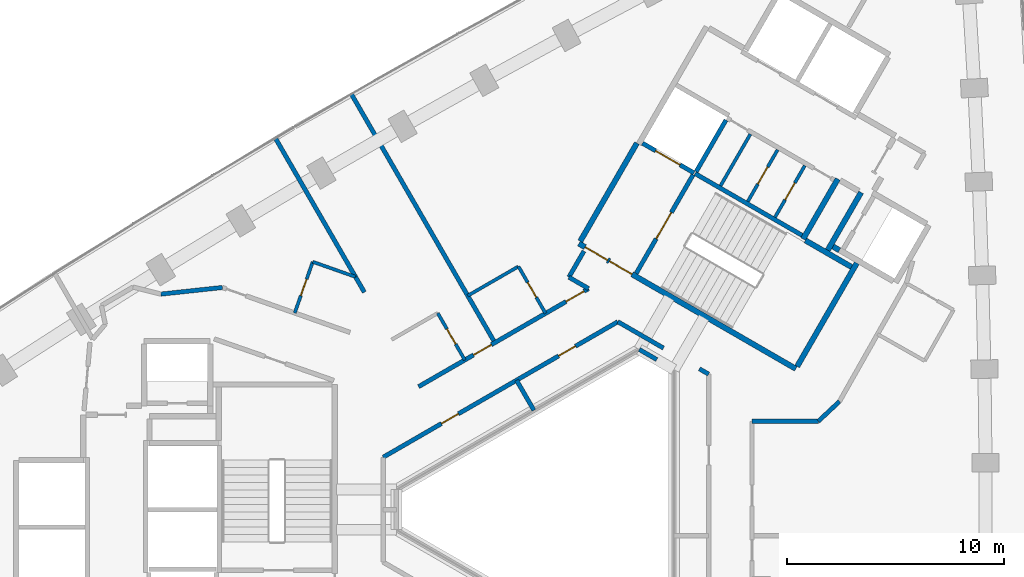
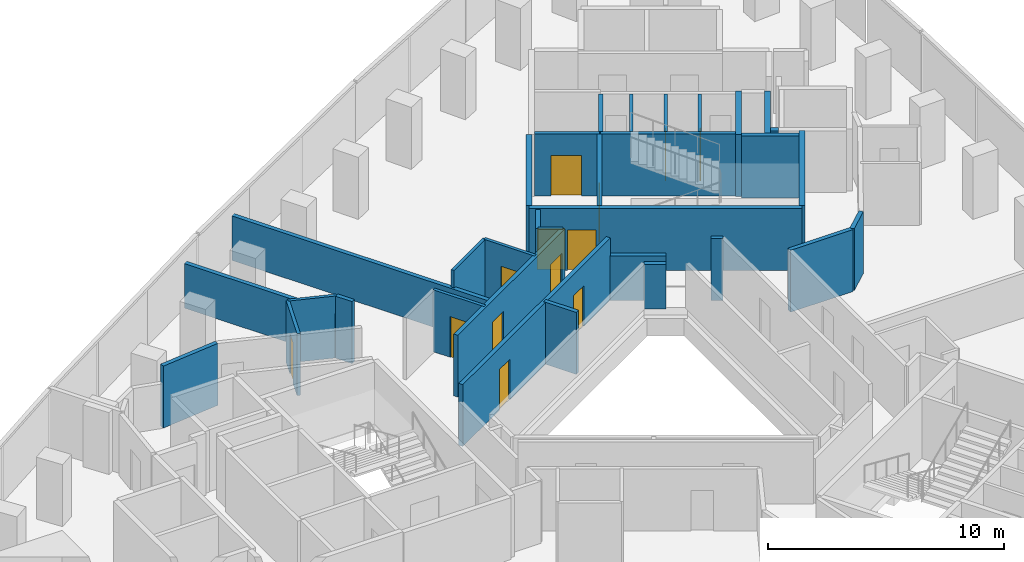
# One storey, part 10 of 12: 33 walls, 13 doors, 13 openings.
"""IFC4 building model written with IfcOpenShell, lengths in metres."""

from ifc_helpers import new_model, si_unit, direction, frame, frame_2d, origin, place, context, subcontext, project, spatial, rectangle, extrude, material, layer, layer_set, type_object, element, fill, save


model = new_model("IFC4")

# Units and contexts
model_context = context("Model", 3, precision=1e-05, world=origin(), true_north=direction((0.0, 1.0)))
body_context = subcontext(model_context, "Body", "Model", "MODEL_VIEW")
ifc_project = project(units=[si_unit("LENGTHUNIT", "METRE"), si_unit("AREAUNIT", "SQUARE_METRE"), si_unit("VOLUMEUNIT", "CUBIC_METRE"), si_unit("PLANEANGLEUNIT", "RADIAN"), si_unit("MASSUNIT", "GRAM", prefix="KILO")], contexts=[model_context])

# Site, building, storey
site_placement = place(None, origin())
site = spatial("IfcSite", under=ifc_project, at=site_placement, CompositionType="ELEMENT")
building_placement = place(site_placement, origin())
building = spatial("IfcBuilding", under=site, at=building_placement, Name="Tamra Quay Hotel Tower", CompositionType="ELEMENT")
storey_placement = place(building_placement, frame((0.0, 0.0, 154.0)))
storey = spatial("IfcBuildingStorey", under=building, at=storey_placement, Name="L38", CompositionType="ELEMENT", Elevation=154.0)

# Wall
ifc_material_1 = material(Name="Concrete M70", Category="concrete")
ifc_layer_1 = layer(ifc_material_1, 0.199951171875)
ifc_layer_set_1 = layer_set([ifc_layer_1], Name="Concrete M70 core wall 200")
wall_type_1 = type_object("IfcWallType", Name="Concrete M70 core wall 200", PredefinedType="SHEAR", material=ifc_layer_set_1)
wall_1_placement = place(storey_placement, frame((5.774658203125, 15.501953125, 0.0), z_axis=(0.0, 0.0, 1.0), x_axis=(0.866020080793, -0.500009219579, 0.0)))
element("IfcWall", 1, at=wall_1_placement, inside=storey, type_object=wall_type_1, Name="CW2", PredefinedType="SHEAR", context=body_context, shape_type="SweptSolid", body=[
    extrude(rectangle(XDim=5.69921875, YDim=0.199951171875, at=frame_2d((2.849609375, 0.0))), origin(), (0.0, 0.0, 1.0), 3.199951171875),
])

# Wall, opening, door
wall_2_placement = place(storey_placement, frame((3.056640625, 10.89453125, 0.0), z_axis=(0.0, 0.0, 1.0), x_axis=(0.499989418164, 0.866031513124, 0.0)))
wall_2 = element("IfcWall", 2, at=wall_2_placement, inside=storey, type_object=wall_type_1, Name="CW2", PredefinedType="SHEAR", context=body_context, shape_type="SweptSolid", body=[
    extrude(rectangle(XDim=5.2509765625, YDim=0.199951171875, at=frame_2d((2.62548828125, 0.0))), origin(), (0.0, 0.0, 1.0), 3.199951171875),
])
opening_1_placement = place(wall_2_placement, frame((1.84912109375, 0.0, 0.0)))
opening_1 = element("IfcOpeningElement", 3, at=opening_1_placement, cuts=wall_2, Name="Opening FD2", PredefinedType="OPENING", context=body_context, shape_type="SweptSolid", body=[
    extrude(rectangle(XDim=1.39990234375, YDim=2.10009765625, at=frame_2d((0.699951171875, 1.050048828125))), frame((0.0, 0.10986328125, 0.0), z_axis=(0.0, -1.0, 0.0), x_axis=(1.0, 0.0, 0.0)), (0.0, 0.0, 1.0), 0.219970703125),
])
ifc_material_2 = material(Name="Core door FD2 1400x2100 RH")
door_type_1 = type_object("IfcDoorType", Name="Core door FD2 1400x2100 RH", OperationType="NOTDEFINED", PredefinedType="DOOR", material=ifc_material_2)
door_1_placement = place(opening_1_placement, origin())
door_1 = element("IfcDoor", 4, at=door_1_placement, inside=storey, type_object=door_type_1, Name="FD2", OperationType="SINGLE_SWING_RIGHT", OverallHeight=2.10009765625, OverallWidth=1.39990234375, PredefinedType="DOOR", context=body_context, shape_type="SweptSolid", body=[
    extrude(rectangle(XDim=1.39990234375, YDim=2.10009765625, at=frame_2d((0.699951171875, 1.050048828125))), frame((0.0, 0.02490234375, 0.0), z_axis=(0.0, -1.0, 0.0), x_axis=(1.0, 0.0, 0.0)), (0.0, 0.0, 1.0), 0.050048828125),
])
fill(opening_1, door_1)

# Wall
wall_3_placement = place(storey_placement, frame((7.199462890625, 17.969970703125, 0.0), z_axis=(0.0, 0.0, 1.0), x_axis=(-0.499968400327, -0.866043647095, 0.0)))
element("IfcWall", 5, at=wall_3_placement, inside=storey, type_object=wall_type_1, Name="CW2", PredefinedType="SHEAR", context=body_context, shape_type="SweptSolid", body=[
    extrude(rectangle(XDim=2.749755859375, YDim=0.199951171875, at=frame_2d((1.375, 0.0))), origin(), (0.0, 0.0, 1.0), 3.199951171875),
])

# Wall, opening, door
wall_4_placement = place(storey_placement, frame((5.72509765625, 15.530517578125, 0.0), z_axis=(0.0, 0.0, 1.0), x_axis=(-0.866037306777, 0.499979382845, 0.0)))
wall_4 = element("IfcWall", 6, at=wall_4_placement, inside=storey, type_object=wall_type_1, Name="CW2", PredefinedType="SHEAR", context=body_context, shape_type="SweptSolid", body=[
    extrude(rectangle(XDim=2.74169921875, YDim=0.199951171875, at=frame_2d((1.370849609375, 0.0))), origin(), (0.0, 0.0, 1.0), 3.199951171875),
])
opening_2_placement = place(wall_4_placement, frame((0.742919921875, 0.0, 0.0)))
opening_2 = element("IfcOpeningElement", 7, at=opening_2_placement, cuts=wall_4, Name="Opening LD", PredefinedType="OPENING", context=body_context, shape_type="SweptSolid", body=[
    extrude(rectangle(XDim=1.300048828125, YDim=2.10009765625, at=frame_2d((0.64990234375, 1.050048828125))), frame((0.0, 0.10986328125, 0.0), z_axis=(0.0, -1.0, 0.0), x_axis=(1.0, 0.0, 0.0)), (0.0, 0.0, 1.0), 0.219970703125),
])
ifc_material_3 = material(Name="Landing door LD 1300 sliding to right")
door_type_2 = type_object("IfcDoorType", Name="Landing door LD 1300 sliding to right", OperationType="NOTDEFINED", PredefinedType="DOOR", material=ifc_material_3)
door_2_placement = place(opening_2_placement, origin())
door_2 = element("IfcDoor", 8, at=door_2_placement, inside=storey, type_object=door_type_2, Name="LD", OperationType="SLIDING_TO_RIGHT", OverallHeight=2.10009765625, OverallWidth=1.300048828125, PredefinedType="DOOR", context=body_context, shape_type="SweptSolid", body=[
    extrude(rectangle(XDim=1.300048828125, YDim=2.10009765625, at=frame_2d((0.64990234375, 1.050048828125))), frame((0.0, 0.02490234375, 0.0), z_axis=(0.0, -1.0, 0.0), x_axis=(1.0, 0.0, 0.0)), (0.0, 0.0, 1.0), 0.050048828125),
])
fill(opening_2, door_2)

# Wall, openings, doors
ifc_layer_2 = layer(ifc_material_1, 0.25)
ifc_layer_set_2 = layer_set([ifc_layer_2], Name="Concrete M70 core wall 250")
wall_type_2 = type_object("IfcWallType", Name="Concrete M70 core wall 250", PredefinedType="SHEAR", material=ifc_layer_set_2)
wall_5_placement = place(storey_placement, frame((10.419921875, 6.497802734375, 0.0), z_axis=(0.0, 0.0, 1.0), x_axis=(-0.866021906294, 0.500006057782, 0.0)))
wall_5 = element("IfcWall", 9, at=wall_5_placement, inside=storey, type_object=wall_type_2, Name="CW1", PredefinedType="SHEAR", context=body_context, shape_type="SweptSolid", body=[
    extrude(rectangle(XDim=11.550048828125, YDim=0.25, at=frame_2d((5.77490234375, 0.0))), origin(), (0.0, 0.0, 1.0), 3.199951171875),
])
opening_3_placement = place(wall_5_placement, frame((10.02490234375, 0.0, 0.0)))
opening_3 = element("IfcOpeningElement", 10, at=opening_3_placement, cuts=wall_5, Name="Opening FD1", PredefinedType="OPENING", context=body_context, shape_type="SweptSolid", body=[
    extrude(rectangle(XDim=1.199951171875, YDim=2.10009765625, at=frame_2d((0.60009765625, 1.050048828125))), frame((0.0, 0.135009765625, 0.0), z_axis=(0.0, -1.0, 0.0), x_axis=(1.0, 0.0, 0.0)), (0.0, 0.0, 1.0), 0.27001953125),
])
opening_4_placement = place(wall_5_placement, frame((8.724853515625, 0.0, 0.0)))
opening_4 = element("IfcOpeningElement", 11, at=opening_4_placement, cuts=wall_5, Name="Opening FD1", PredefinedType="OPENING", context=body_context, shape_type="SweptSolid", body=[
    extrude(rectangle(XDim=1.199951171875, YDim=2.10009765625, at=frame_2d((0.60009765625, 1.050048828125))), frame((0.0, 0.135009765625, 0.0), z_axis=(0.0, -1.0, 0.0), x_axis=(1.0, 0.0, 0.0)), (0.0, 0.0, 1.0), 0.27001953125),
])
ifc_material_4 = material(Name="Core door FD1 1200x2100 LH")
door_type_3 = type_object("IfcDoorType", Name="Core door FD1 1200x2100 LH", OperationType="NOTDEFINED", PredefinedType="DOOR", material=ifc_material_4)
door_3_placement = place(opening_3_placement, origin())
door_3 = element("IfcDoor", 12, at=door_3_placement, inside=storey, type_object=door_type_3, Name="FD1", OperationType="SINGLE_SWING_LEFT", OverallHeight=2.10009765625, OverallWidth=1.199951171875, PredefinedType="DOOR", context=body_context, shape_type="SweptSolid", body=[
    extrude(rectangle(XDim=1.199951171875, YDim=2.10009765625, at=frame_2d((0.60009765625, 1.050048828125))), frame((0.0, 0.02490234375, 0.0), z_axis=(0.0, -1.0, 0.0), x_axis=(1.0, 0.0, 0.0)), (0.0, 0.0, 1.0), 0.050048828125),
])
fill(opening_3, door_3)
ifc_material_5 = material(Name="Core door FD1 1200x2100 RH")
door_type_4 = type_object("IfcDoorType", Name="Core door FD1 1200x2100 RH", OperationType="NOTDEFINED", PredefinedType="DOOR", material=ifc_material_5)
door_4_placement = place(opening_4_placement, origin())
door_4 = element("IfcDoor", 13, at=door_4_placement, inside=storey, type_object=door_type_4, Name="FD1", OperationType="SINGLE_SWING_RIGHT", OverallHeight=2.10009765625, OverallWidth=1.199951171875, PredefinedType="DOOR", context=body_context, shape_type="SweptSolid", body=[
    extrude(rectangle(XDim=1.199951171875, YDim=2.10009765625, at=frame_2d((0.60009765625, 1.050048828125))), frame((0.0, 0.02490234375, 0.0), z_axis=(0.0, -1.0, 0.0), x_axis=(1.0, 0.0, 0.0)), (0.0, 0.0, 1.0), 0.050048828125),
])
fill(opening_4, door_4)

# Walls
wall_6_placement = place(storey_placement, frame((0.47998046875, 12.38134765625, 0.0), z_axis=(0.0, 0.0, 1.0), x_axis=(0.49999885962, 0.866026062182, 0.0)))
element("IfcWall", 14, at=wall_6_placement, inside=storey, type_object=wall_type_2, Name="CW1", PredefinedType="SHEAR", context=body_context, shape_type="SweptSolid", body=[
    extrude(rectangle(XDim=5.224609375, YDim=0.25, at=frame_2d((2.6123046875, 0.0))), origin(), (0.0, 0.0, 1.0), 3.199951171875),
])
wall_7_placement = place(storey_placement, frame((13.237548828125, 11.3779296875, 0.0), z_axis=(0.0, 0.0, 1.0), x_axis=(-0.500008851346, -0.866020293397, 0.0)))
element("IfcWall", 15, at=wall_7_placement, inside=storey, type_object=wall_type_2, Name="CW1", PredefinedType="SHEAR", context=body_context, shape_type="SweptSolid", body=[
    extrude(rectangle(XDim=5.509765625, YDim=0.25, at=frame_2d((2.7548828125, 0.0))), origin(), (0.0, 0.0, 1.0), 3.199951171875),
])
wall_8_placement = place(storey_placement, frame((12.356689453125, 15.25244140625, 0.0), z_axis=(0.0, 0.0, 1.0), x_axis=(-0.500028443584, -0.866008981251, 0.0)))
element("IfcWall", 16, at=wall_8_placement, inside=storey, type_object=wall_type_2, Name="CW1", PredefinedType="SHEAR", context=body_context, shape_type="SweptSolid", body=[
    extrude(rectangle(XDim=3.199951171875, YDim=0.25, at=frame_2d((1.60009765625, 0.0))), origin(), (0.0, 0.0, 1.0), 3.199951171875),
])
wall_9_placement = place(storey_placement, frame((11.887939453125, 11.960693359375, 0.0), z_axis=(0.0, 0.0, 1.0), x_axis=(0.500003324108, 0.866023484601, 0.0)))
element("IfcWall", 17, at=wall_9_placement, inside=storey, type_object=wall_type_2, Name="CW1", PredefinedType="SHEAR", context=body_context, shape_type="SweptSolid", body=[
    extrude(rectangle(XDim=3.0849609375, YDim=0.25, at=frame_2d((1.54248046875, 0.0))), origin(), (0.0, 0.0, 1.0), 3.199951171875),
])
wall_10_placement = place(storey_placement, frame((10.865234375, 12.41845703125, 0.0), z_axis=(0.0, 0.0, 1.0), x_axis=(0.866026229868, -0.499998569178, 0.0)))
element("IfcWall", 18, at=wall_10_placement, inside=storey, type_object=wall_type_2, Name="CW1", PredefinedType="SHEAR", context=body_context, shape_type="SweptSolid", body=[
    extrude(rectangle(XDim=2.44921875, YDim=0.25, at=frame_2d((1.224609375, 0.0))), origin(), (0.0, 0.0, 1.0), 3.199951171875),
])
wall_11_placement = place(storey_placement, frame((12.4326171875, 11.9638671875, 0.0), z_axis=(0.0, 0.0, 1.0), x_axis=(-0.866055875208, 0.499947218231, 0.0)))
element("IfcWall", 19, at=wall_11_placement, inside=storey, type_object=wall_type_2, Name="CW1", PredefinedType="SHEAR", context=body_context, shape_type="SweptSolid", body=[
    extrude(rectangle(XDim=0.3447265625, YDim=0.25, at=frame_2d((0.17236328125, 0.0))), origin(), (0.0, 0.0, 1.0), 3.199951171875),
])

# Wall, opening, door
ifc_material_6 = material(Name="Blockwork", Category="masonry")
ifc_layer_3 = layer(ifc_material_6, 0.14990234375)
ifc_layer_set_3 = layer_set([ifc_layer_3], Name="Core partition block 150")
wall_type_3 = type_object("IfcWallType", Name="Core partition block 150", PredefinedType="PARTITIONING", material=ifc_layer_set_3)
wall_12_placement = place(storey_placement, frame((9.462158203125, 13.4892578125, 0.0), z_axis=(0.0, 0.0, 1.0), x_axis=(0.50002746344, 0.86600954718, 0.0)))
wall_12 = element("IfcWall", 20, at=wall_12_placement, inside=storey, type_object=wall_type_3, Name="CP1", PredefinedType="PARTITIONING", context=body_context, shape_type="SweptSolid", body=[
    extrude(rectangle(XDim=2.748291015625, YDim=0.14990234375, at=frame_2d((1.3740234375, 0.0))), origin(), (0.0, 0.0, 1.0), 3.199951171875),
])
opening_5_placement = place(wall_12_placement, frame((0.92431640625, 0.0, 0.0)))
opening_5 = element("IfcOpeningElement", 21, at=opening_5_placement, cuts=wall_12, Name="Opening D2", PredefinedType="OPENING", context=body_context, shape_type="SweptSolid", body=[
    extrude(rectangle(XDim=0.89990234375, YDim=2.10009765625, at=frame_2d((0.449951171875, 1.050048828125))), frame((0.0, 0.0849609375, 0.0), z_axis=(0.0, -1.0, 0.0), x_axis=(1.0, 0.0, 0.0)), (0.0, 0.0, 1.0), 0.169921875),
])
ifc_material_7 = material(Name="Core door D2 900x2100 RH")
door_type_5 = type_object("IfcDoorType", Name="Core door D2 900x2100 RH", OperationType="NOTDEFINED", PredefinedType="DOOR", material=ifc_material_7)
door_5_placement = place(opening_5_placement, origin())
door_5 = element("IfcDoor", 22, at=door_5_placement, inside=storey, type_object=door_type_5, Name="D2", OperationType="SINGLE_SWING_RIGHT", OverallHeight=2.10009765625, OverallWidth=0.89990234375, PredefinedType="DOOR", context=body_context, shape_type="SweptSolid", body=[
    extrude(rectangle(XDim=0.89990234375, YDim=2.10009765625, at=frame_2d((0.449951171875, 1.050048828125))), frame((0.0, 0.02490234375, 0.0), z_axis=(0.0, -1.0, 0.0), x_axis=(1.0, 0.0, 0.0)), (0.0, 0.0, 1.0), 0.050048828125),
])
fill(opening_5, door_5)

wall_13_placement = place(storey_placement, frame((8.20654296875, 14.214111328125, 0.0), z_axis=(0.0, 0.0, 1.0), x_axis=(0.499922376475, 0.866070215109, 0.0)))
wall_13 = element("IfcWall", 23, at=wall_13_placement, inside=storey, type_object=wall_type_3, Name="CP1", PredefinedType="PARTITIONING", context=body_context, shape_type="SweptSolid", body=[
    extrude(rectangle(XDim=2.74853515625, YDim=0.14990234375, at=frame_2d((1.374267578125, 0.0))), origin(), (0.0, 0.0, 1.0), 3.199951171875),
])
opening_6_placement = place(wall_13_placement, frame((0.92431640625, 0.0, 0.0)))
opening_6 = element("IfcOpeningElement", 24, at=opening_6_placement, cuts=wall_13, Name="Opening D2", PredefinedType="OPENING", context=body_context, shape_type="SweptSolid", body=[
    extrude(rectangle(XDim=0.89990234375, YDim=2.10009765625, at=frame_2d((0.449951171875, 1.050048828125))), frame((0.0, 0.0849609375, 0.0), z_axis=(0.0, -1.0, 0.0), x_axis=(1.0, 0.0, 0.0)), (0.0, 0.0, 1.0), 0.169921875),
])
ifc_material_8 = material(Name="Core door D2 900x2100 LH")
door_type_6 = type_object("IfcDoorType", Name="Core door D2 900x2100 LH", OperationType="NOTDEFINED", PredefinedType="DOOR", material=ifc_material_8)
door_6_placement = place(opening_6_placement, origin())
door_6 = element("IfcDoor", 25, at=door_6_placement, inside=storey, type_object=door_type_6, Name="D2", OperationType="SINGLE_SWING_LEFT", OverallHeight=2.10009765625, OverallWidth=0.89990234375, PredefinedType="DOOR", context=body_context, shape_type="SweptSolid", body=[
    extrude(rectangle(XDim=0.89990234375, YDim=2.10009765625, at=frame_2d((0.449951171875, 1.050048828125))), frame((0.0, 0.02490234375, 0.0), z_axis=(0.0, -1.0, 0.0), x_axis=(1.0, 0.0, 0.0)), (0.0, 0.0, 1.0), 0.050048828125),
])
fill(opening_6, door_6)

# Walls
wall_14_placement = place(storey_placement, frame((6.95068359375, 14.939208984375, 0.0), z_axis=(0.0, 0.0, 1.0), x_axis=(0.50002746344, 0.86600954718, 0.0)))
element("IfcWall", 26, at=wall_14_placement, inside=storey, type_object=wall_type_3, Name="CP1", PredefinedType="PARTITIONING", context=body_context, shape_type="SweptSolid", body=[
    extrude(rectangle(XDim=2.748291015625, YDim=0.14990234375, at=frame_2d((1.3740234375, 0.0))), origin(), (0.0, 0.0, 1.0), 3.199951171875),
])
ifc_material_9 = material(Name="Partition corridor wall")
ifc_layer_4 = layer(ifc_material_9, 0.199951171875)
ifc_layer_set_4 = layer_set([ifc_layer_4], Name="Partition corridor wall")
wall_type_4 = type_object("IfcWallType", Name="Partition corridor wall", PredefinedType="PARTITIONING", material=ifc_layer_set_4)
wall_15_placement = place(storey_placement, frame((-18.864990234375, 9.94091796875, 0.0), z_axis=(0.0, 0.0, 1.0), x_axis=(0.99423123086, 0.107257911519, 0.0)))
element("IfcWall", 27, at=wall_15_placement, inside=storey, type_object=wall_type_4, Name="W-C", PredefinedType="PARTITIONING", context=body_context, shape_type="SweptSolid", body=[
    extrude(rectangle(XDim=2.854248046875, YDim=0.199951171875, at=frame_2d((1.42724609375, 0.0))), origin(), (0.0, 0.0, 1.0), 3.199951171875),
])

# Wall, openings, doors
wall_16_placement = place(storey_placement, frame((-8.61181640625, 2.417724609375, 0.0), z_axis=(0.0, 0.0, 1.0), x_axis=(0.866019033094, 0.500011034197, 0.0)))
wall_16 = element("IfcWall", 28, at=wall_16_placement, inside=storey, type_object=wall_type_4, Name="W-C", PredefinedType="PARTITIONING", context=body_context, shape_type="SweptSolid", body=[
    extrude(rectangle(XDim=12.498291015625, YDim=0.199951171875, at=frame_2d((6.2490234375, 0.0))), origin(), (0.0, 0.0, 1.0), 3.199951171875),
])
opening_7_placement = place(wall_16_placement, frame((9.346435546875, 0.0, 0.0)))
opening_7 = element("IfcOpeningElement", 29, at=opening_7_placement, cuts=wall_16, Name="Opening L38-D020", PredefinedType="OPENING", context=body_context, shape_type="SweptSolid", body=[
    extrude(rectangle(XDim=0.89990234375, YDim=2.10009765625, at=frame_2d((0.449951171875, 1.050048828125))), frame((0.0, 0.10986328125, 0.0), z_axis=(0.0, -1.0, 0.0), x_axis=(1.0, 0.0, 0.0)), (0.0, 0.0, 1.0), 0.219970703125),
])
opening_8_placement = place(wall_16_placement, frame((3.10888671875, 0.0, 0.0)))
opening_8 = element("IfcOpeningElement", 30, at=opening_8_placement, cuts=wall_16, Name="Opening L38-D021", PredefinedType="OPENING", context=body_context, shape_type="SweptSolid", body=[
    extrude(rectangle(XDim=0.89990234375, YDim=2.10009765625, at=frame_2d((0.449951171875, 1.050048828125))), frame((0.0, 0.10986328125, 0.0), z_axis=(0.0, -1.0, 0.0), x_axis=(1.0, 0.0, 0.0)), (0.0, 0.0, 1.0), 0.219970703125),
])
ifc_material_10 = material(Name="Door service room 900x2100")
door_type_7 = type_object("IfcDoorType", Name="Door service room 900x2100", OperationType="NOTDEFINED", PredefinedType="DOOR", material=ifc_material_10)
door_7_placement = place(opening_7_placement, frame((0.89990234375, 0.0, 0.0), z_axis=(0.0, 0.0, 1.0), x_axis=(-1.0, 0.0, 0.0)))
door_7 = element("IfcDoor", 31, at=door_7_placement, inside=storey, type_object=door_type_7, Name="L38-D020", OperationType="SINGLE_SWING_LEFT", OverallHeight=2.10009765625, OverallWidth=0.89990234375, PredefinedType="DOOR", context=body_context, shape_type="SweptSolid", body=[
    extrude(rectangle(XDim=0.89990234375, YDim=2.10009765625, at=frame_2d((0.449951171875, 1.050048828125))), frame((0.0, 0.02490234375, 0.0), z_axis=(0.0, -1.0, 0.0), x_axis=(1.0, 0.0, 0.0)), (0.0, 0.0, 1.0), 0.050048828125),
])
fill(opening_7, door_7)
door_8_placement = place(opening_8_placement, frame((0.89990234375, 0.0, 0.0), z_axis=(0.0, 0.0, 1.0), x_axis=(-1.0, 0.0, 0.0)))
door_8 = element("IfcDoor", 32, at=door_8_placement, inside=storey, type_object=door_type_7, Name="L38-D021", OperationType="SINGLE_SWING_LEFT", OverallHeight=2.10009765625, OverallWidth=0.89990234375, PredefinedType="DOOR", context=body_context, shape_type="SweptSolid", body=[
    extrude(rectangle(XDim=0.89990234375, YDim=2.10009765625, at=frame_2d((0.449951171875, 1.050048828125))), frame((0.0, 0.02490234375, 0.0), z_axis=(0.0, -1.0, 0.0), x_axis=(1.0, 0.0, 0.0)), (0.0, 0.0, 1.0), 0.050048828125),
])
fill(opening_8, door_8)

wall_17_placement = place(storey_placement, frame((-6.976318359375, 5.674072265625, 0.0), z_axis=(0.0, 0.0, 1.0), x_axis=(0.8661469583, 0.499789402276, 0.0)))
wall_17 = element("IfcWall", 33, at=wall_17_placement, inside=storey, type_object=wall_type_4, Name="W-C", PredefinedType="PARTITIONING", context=body_context, shape_type="SweptSolid", body=[
    extrude(rectangle(XDim=9.0498046875, YDim=0.199951171875, at=frame_2d((4.52490234375, 0.0))), origin(), (0.0, 0.0, 1.0), 3.199951171875),
])
opening_9_placement = place(wall_17_placement, frame((7.85205078125, 0.0, 0.0)))
opening_9 = element("IfcOpeningElement", 34, at=opening_9_placement, cuts=wall_17, Name="Opening L38-D005", PredefinedType="OPENING", context=body_context, shape_type="SweptSolid", body=[
    extrude(rectangle(XDim=0.949951171875, YDim=2.10009765625, at=frame_2d((0.47509765625, 1.050048828125))), frame((0.0, 0.10986328125, 0.0), z_axis=(0.0, -1.0, 0.0), x_axis=(1.0, 0.0, 0.0)), (0.0, 0.0, 1.0), 0.219970703125),
])
opening_10_placement = place(wall_17_placement, frame((2.923095703125, 0.0, 0.0)))
opening_10 = element("IfcOpeningElement", 35, at=opening_10_placement, cuts=wall_17, Name="Opening L38-D007", PredefinedType="OPENING", context=body_context, shape_type="SweptSolid", body=[
    extrude(rectangle(XDim=0.949951171875, YDim=2.10009765625, at=frame_2d((0.47509765625, 1.050048828125))), frame((0.0, 0.10986328125, 0.0), z_axis=(0.0, -1.0, 0.0), x_axis=(1.0, 0.0, 0.0)), (0.0, 0.0, 1.0), 0.219970703125),
])
ifc_material_11 = material(Name="Door guest room 950x2100")
door_type_8 = type_object("IfcDoorType", Name="Door guest room 950x2100", OperationType="NOTDEFINED", PredefinedType="DOOR", material=ifc_material_11)
door_9_placement = place(opening_9_placement, origin())
door_9 = element("IfcDoor", 36, at=door_9_placement, inside=storey, type_object=door_type_8, Name="L38-D005", OperationType="SINGLE_SWING_LEFT", OverallHeight=2.10009765625, OverallWidth=0.949951171875, PredefinedType="DOOR", context=body_context, shape_type="SweptSolid", body=[
    extrude(rectangle(XDim=0.949951171875, YDim=2.10009765625, at=frame_2d((0.47509765625, 1.050048828125))), frame((0.0, 0.02490234375, 0.0), z_axis=(0.0, -1.0, 0.0), x_axis=(1.0, 0.0, 0.0)), (0.0, 0.0, 1.0), 0.050048828125),
])
fill(opening_9, door_9)
door_10_placement = place(opening_10_placement, origin())
door_10 = element("IfcDoor", 37, at=door_10_placement, inside=storey, type_object=door_type_8, Name="L38-D007", OperationType="SINGLE_SWING_LEFT", OverallHeight=2.10009765625, OverallWidth=0.949951171875, PredefinedType="DOOR", context=body_context, shape_type="SweptSolid", body=[
    extrude(rectangle(XDim=0.949951171875, YDim=2.10009765625, at=frame_2d((0.47509765625, 1.050048828125))), frame((0.0, 0.02490234375, 0.0), z_axis=(0.0, -1.0, 0.0), x_axis=(1.0, 0.0, 0.0)), (0.0, 0.0, 1.0), 0.050048828125),
])
fill(opening_10, door_10)

# Walls
wall_18_placement = place(storey_placement, frame((-0.044921875, 10.720947265625, 0.0), z_axis=(0.0, 0.0, 1.0), x_axis=(0.865909943543, -0.500199929702, 0.0)))
element("IfcWall", 38, at=wall_18_placement, inside=storey, type_object=wall_type_4, Name="W-C", PredefinedType="PARTITIONING", context=body_context, shape_type="SweptSolid", body=[
    extrude(rectangle(XDim=1.04736328125, YDim=0.199951171875, at=frame_2d((0.523681640625, 0.0))), origin(), (0.0, 0.0, 1.0), 3.199951171875),
])
wall_19_placement = place(storey_placement, frame((-0.044921875, 10.721923828125, 0.0), z_axis=(0.0, 0.0, 1.0), x_axis=(0.500107785535, 0.865963164833, 0.0)))
element("IfcWall", 39, at=wall_19_placement, inside=storey, type_object=wall_type_4, Name="W-C", PredefinedType="PARTITIONING", context=body_context, shape_type="SweptSolid", body=[
    extrude(rectangle(XDim=1.389404296875, YDim=0.199951171875, at=frame_2d((0.69482421875, 0.0))), origin(), (0.0, 0.0, 1.0), 3.199951171875),
])
wall_20_placement = place(storey_placement, frame((2.212646484375, 8.66796875, 0.0), z_axis=(0.0, 0.0, 1.0), x_axis=(0.866001461921, -0.500041466232, 0.0)))
element("IfcWall", 40, at=wall_20_placement, inside=storey, type_object=wall_type_4, Name="W-C", PredefinedType="PARTITIONING", context=body_context, shape_type="SweptSolid", body=[
    extrude(rectangle(XDim=2.428955078125, YDim=0.199951171875, at=frame_2d((1.21435546875, 0.0))), origin(), (0.0, 0.0, 1.0), 2.300048828125),
])
wall_21_placement = place(storey_placement, frame((5.97412109375, 6.49609375, 0.0), z_axis=(0.0, 0.0, 1.0), x_axis=(0.865788603161, -0.500409926597, 0.0)))
element("IfcWall", 41, at=wall_21_placement, inside=storey, type_object=wall_type_4, Name="W-C", PredefinedType="PARTITIONING", context=body_context, shape_type="SweptSolid", body=[
    extrude(rectangle(XDim=0.49169921875, YDim=0.199951171875, at=frame_2d((0.245849609375, 0.0))), origin(), (0.0, 0.0, 1.0), 3.199951171875),
])
wall_22_placement = place(storey_placement, frame((8.39990234375, 4.077880859375, 0.0), z_axis=(0.0, 0.0, 1.0), x_axis=(1.0, 0.0, 0.0)))
element("IfcWall", 42, at=wall_22_placement, inside=storey, type_object=wall_type_4, Name="W-C", PredefinedType="PARTITIONING", context=body_context, shape_type="SweptSolid", body=[
    extrude(rectangle(XDim=3.05712890625, YDim=0.199951171875, at=frame_2d((1.528564453125, 0.0))), origin(), (0.0, 0.0, 1.0), 3.199951171875),
])
wall_23_placement = place(storey_placement, frame((11.4580078125, 4.077880859375, 0.0), z_axis=(0.0, 0.0, 1.0), x_axis=(0.729936032318, 0.683515463412, 0.0)))
element("IfcWall", 43, at=wall_23_placement, inside=storey, type_object=wall_type_4, Name="W-C", PredefinedType="PARTITIONING", context=body_context, shape_type="SweptSolid", body=[
    extrude(rectangle(XDim=1.3359375, YDim=0.199951171875, at=frame_2d((0.66796875, 0.0))), origin(), (0.0, 0.0, 1.0), 3.199951171875),
])

# Wall, opening, door
ifc_material_12 = material(Name="Partition en-suite wall")
ifc_layer_5 = layer(ifc_material_12, 0.14990234375)
ifc_layer_set_5 = layer_set([ifc_layer_5], Name="Partition en-suite wall")
wall_type_5 = type_object("IfcWallType", Name="Partition en-suite wall", PredefinedType="PARTITIONING", material=ifc_layer_set_5)
wall_24_placement = place(storey_placement, frame((-12.68798828125, 9.072021484375, 0.0), z_axis=(0.0, 0.0, 1.0), x_axis=(0.331941604797, 0.943299936926, 0.0)))
wall_24 = element("IfcWall", 44, at=wall_24_placement, inside=storey, type_object=wall_type_5, Name="W-E", PredefinedType="PARTITIONING", context=body_context, shape_type="SweptSolid", body=[
    extrude(rectangle(XDim=2.500732421875, YDim=0.14990234375, at=frame_2d((1.25048828125, 0.0))), origin(), (0.0, 0.0, 1.0), 3.199951171875),
])
opening_11_placement = place(wall_24_placement, frame((0.850341796875, 0.0, 0.0)))
opening_11 = element("IfcOpeningElement", 45, at=opening_11_placement, cuts=wall_24, Name="Opening L38-D011", PredefinedType="OPENING", context=body_context, shape_type="SweptSolid", body=[
    extrude(rectangle(XDim=0.800048828125, YDim=2.10009765625, at=frame_2d((0.39990234375, 1.050048828125))), frame((0.0, 0.0849609375, 0.0), z_axis=(0.0, -1.0, 0.0), x_axis=(1.0, 0.0, 0.0)), (0.0, 0.0, 1.0), 0.169921875),
])
ifc_material_13 = material(Name="Door en-suite 800x2100")
door_type_9 = type_object("IfcDoorType", Name="Door en-suite 800x2100", OperationType="NOTDEFINED", PredefinedType="DOOR", material=ifc_material_13)
door_11_placement = place(opening_11_placement, origin())
door_11 = element("IfcDoor", 46, at=door_11_placement, inside=storey, type_object=door_type_9, Name="L38-D011", OperationType="SINGLE_SWING_LEFT", OverallHeight=2.10009765625, OverallWidth=0.800048828125, PredefinedType="DOOR", context=body_context, shape_type="SweptSolid", body=[
    extrude(rectangle(XDim=0.800048828125, YDim=2.10009765625, at=frame_2d((0.39990234375, 1.050048828125))), frame((0.0, 0.02490234375, 0.0), z_axis=(0.0, -1.0, 0.0), x_axis=(1.0, 0.0, 0.0)), (0.0, 0.0, 1.0), 0.050048828125),
])
fill(opening_11, door_11)

# Wall
wall_25_placement = place(storey_placement, frame((-11.85791015625, 11.430908203125, 0.0), z_axis=(0.0, 0.0, 1.0), x_axis=(0.943162669368, -0.332331429617, 0.0)))
element("IfcWall", 47, at=wall_25_placement, inside=storey, type_object=wall_type_5, Name="W-E", PredefinedType="PARTITIONING", context=body_context, shape_type="SweptSolid", body=[
    extrude(rectangle(XDim=2.0908203125, YDim=0.14990234375, at=frame_2d((1.04541015625, 0.0))), origin(), (0.0, 0.0, 1.0), 3.199951171875),
])

# Wall, opening, door
wall_26_placement = place(storey_placement, frame((-6.093994140625, 9.068115234375, 0.0), z_axis=(0.0, 0.0, 1.0), x_axis=(0.500004234368, -0.866022959057, 0.0)))
wall_26 = element("IfcWall", 48, at=wall_26_placement, inside=storey, type_object=wall_type_5, Name="W-E", PredefinedType="PARTITIONING", context=body_context, shape_type="SweptSolid", body=[
    extrude(rectangle(XDim=2.5, YDim=0.14990234375, at=frame_2d((1.25, 0.0))), origin(), (0.0, 0.0, 1.0), 3.199951171875),
])
opening_12_placement = place(wall_26_placement, frame((0.85009765625, 0.0, 0.0)))
opening_12 = element("IfcOpeningElement", 49, at=opening_12_placement, cuts=wall_26, Name="Opening L38-D008", PredefinedType="OPENING", context=body_context, shape_type="SweptSolid", body=[
    extrude(rectangle(XDim=0.800048828125, YDim=2.10009765625, at=frame_2d((0.39990234375, 1.050048828125))), frame((0.0, 0.0849609375, 0.0), z_axis=(0.0, -1.0, 0.0), x_axis=(1.0, 0.0, 0.0)), (0.0, 0.0, 1.0), 0.169921875),
])
door_12_placement = place(opening_12_placement, frame((0.800048828125, 0.0, 0.0), z_axis=(0.0, 0.0, 1.0), x_axis=(-1.0, 0.0, 0.0)))
door_12 = element("IfcDoor", 50, at=door_12_placement, inside=storey, type_object=door_type_9, Name="L38-D008", OperationType="SINGLE_SWING_LEFT", OverallHeight=2.10009765625, OverallWidth=0.800048828125, PredefinedType="DOOR", context=body_context, shape_type="SweptSolid", body=[
    extrude(rectangle(XDim=0.800048828125, YDim=2.10009765625, at=frame_2d((0.39990234375, 1.050048828125))), frame((0.0, 0.02490234375, 0.0), z_axis=(0.0, -1.0, 0.0), x_axis=(1.0, 0.0, 0.0)), (0.0, 0.0, 1.0), 0.050048828125),
])
fill(opening_12, door_12)

# Wall
wall_27_placement = place(storey_placement, frame((-4.7080078125, 9.867919921875, 0.0), z_axis=(0.0, 0.0, 1.0), x_axis=(0.865950438779, 0.500129820725, 0.0)))
element("IfcWall", 51, at=wall_27_placement, inside=storey, type_object=wall_type_5, Name="W-E", PredefinedType="PARTITIONING", context=body_context, shape_type="SweptSolid", body=[
    extrude(rectangle(XDim=2.697509765625, YDim=0.14990234375, at=frame_2d((1.3486328125, 0.0))), origin(), (0.0, 0.0, 1.0), 3.199951171875),
])

# Wall, opening, door
wall_28_placement = place(storey_placement, frame((-2.368896484375, 11.216064453125, 0.0), z_axis=(0.0, 0.0, 1.0), x_axis=(0.499852268047, -0.866110680068, 0.0)))
wall_28 = element("IfcWall", 52, at=wall_28_placement, inside=storey, type_object=wall_type_5, Name="W-E", PredefinedType="PARTITIONING", context=body_context, shape_type="SweptSolid", body=[
    extrude(rectangle(XDim=2.496337890625, YDim=0.14990234375, at=frame_2d((1.248046875, 0.0))), origin(), (0.0, 0.0, 1.0), 3.199951171875),
])
opening_13_placement = place(wall_28_placement, frame((0.847900390625, 0.0, 0.0)))
opening_13 = element("IfcOpeningElement", 53, at=opening_13_placement, cuts=wall_28, Name="Opening L38-D006", PredefinedType="OPENING", context=body_context, shape_type="SweptSolid", body=[
    extrude(rectangle(XDim=0.800048828125, YDim=2.10009765625, at=frame_2d((0.39990234375, 1.050048828125))), frame((0.0, 0.0849609375, 0.0), z_axis=(0.0, -1.0, 0.0), x_axis=(1.0, 0.0, 0.0)), (0.0, 0.0, 1.0), 0.169921875),
])
door_13_placement = place(opening_13_placement, origin())
door_13 = element("IfcDoor", 54, at=door_13_placement, inside=storey, type_object=door_type_9, Name="L38-D006", OperationType="SINGLE_SWING_LEFT", OverallHeight=2.10009765625, OverallWidth=0.800048828125, PredefinedType="DOOR", context=body_context, shape_type="SweptSolid", body=[
    extrude(rectangle(XDim=0.800048828125, YDim=2.10009765625, at=frame_2d((0.39990234375, 1.050048828125))), frame((0.0, 0.02490234375, 0.0), z_axis=(0.0, -1.0, 0.0), x_axis=(1.0, 0.0, 0.0)), (0.0, 0.0, 1.0), 0.050048828125),
])
fill(opening_13, door_13)

# Walls
ifc_material_14 = material(Name="Partition party wall")
ifc_layer_6 = layer(ifc_material_14, 0.199951171875)
ifc_layer_set_6 = layer_set([ifc_layer_6], Name="Partition party wall")
wall_type_6 = type_object("IfcWallType", Name="Partition party wall", PredefinedType="PARTITIONING", material=ifc_layer_set_6)
wall_29_placement = place(storey_placement, frame((-13.572509765625, 17.1220703125, 0.0), z_axis=(0.0, 0.0, 1.0), x_axis=(0.49998952864, -0.866031449343, 0.0)))
element("IfcWall", 55, at=wall_29_placement, inside=storey, type_object=wall_type_6, Name="W-P", PredefinedType="PARTITIONING", context=body_context, shape_type="SweptSolid", body=[
    extrude(rectangle(XDim=7.385498046875, YDim=0.199951171875, at=frame_2d((3.69287109375, 0.0))), origin(), (0.0, 0.0, 1.0), 2.300048828125),
])
wall_30_placement = place(storey_placement, frame((-10.070556640625, 19.157958984375, 0.0), z_axis=(0.0, 0.0, 1.0), x_axis=(0.499905140254, -0.866080164158, 0.0)))
element("IfcWall", 56, at=wall_30_placement, inside=storey, type_object=wall_type_6, Name="W-P", PredefinedType="PARTITIONING", context=body_context, shape_type="SweptSolid", body=[
    extrude(rectangle(XDim=13.2265625, YDim=0.199951171875, at=frame_2d((6.61328125, 0.0))), origin(), (0.0, 0.0, 1.0), 2.300048828125),
])
wall_31_placement = place(storey_placement, frame((-9.879638671875, 10.72607421875, 0.0), z_axis=(0.0, 0.0, 1.0), x_axis=(0.499626274598, -0.866241066754, 0.0)))
element("IfcWall", 57, at=wall_31_placement, inside=storey, type_object=wall_type_6, Name="W-P", PredefinedType="PARTITIONING", context=body_context, shape_type="SweptSolid", body=[
    extrude(rectangle(XDim=0.8056640625, YDim=0.199951171875, at=frame_2d((0.40283203125, 0.0))), origin(), (0.0, 0.0, 1.0), 3.199951171875),
])
wall_32_placement = place(storey_placement, frame((-2.458740234375, 5.970458984375, 0.0), z_axis=(0.0, 0.0, 1.0), x_axis=(0.499898632315, -0.866083920535, 0.0)))
element("IfcWall", 58, at=wall_32_placement, inside=storey, type_object=wall_type_6, Name="W-P", PredefinedType="PARTITIONING", context=body_context, shape_type="SweptSolid", body=[
    extrude(rectangle(XDim=1.599365234375, YDim=0.199951171875, at=frame_2d((0.7998046875, 0.0))), origin(), (0.0, 0.0, 1.0), 3.199951171875),
])
wall_33_placement = place(storey_placement, frame((3.199951171875, 7.389892578125, 0.0), z_axis=(0.0, 0.0, 1.0), x_axis=(0.865985641702, -0.500068863623, 0.0)))
element("IfcWall", 59, at=wall_33_placement, inside=storey, type_object=wall_type_6, Name="W-P", PredefinedType="PARTITIONING", context=body_context, shape_type="SweptSolid", body=[
    extrude(rectangle(XDim=0.935302734375, YDim=0.199951171875, at=frame_2d((0.4677734375, 0.0))), origin(), (0.0, 0.0, 1.0), 2.300048828125),
])

save(model, "model.ifc")
